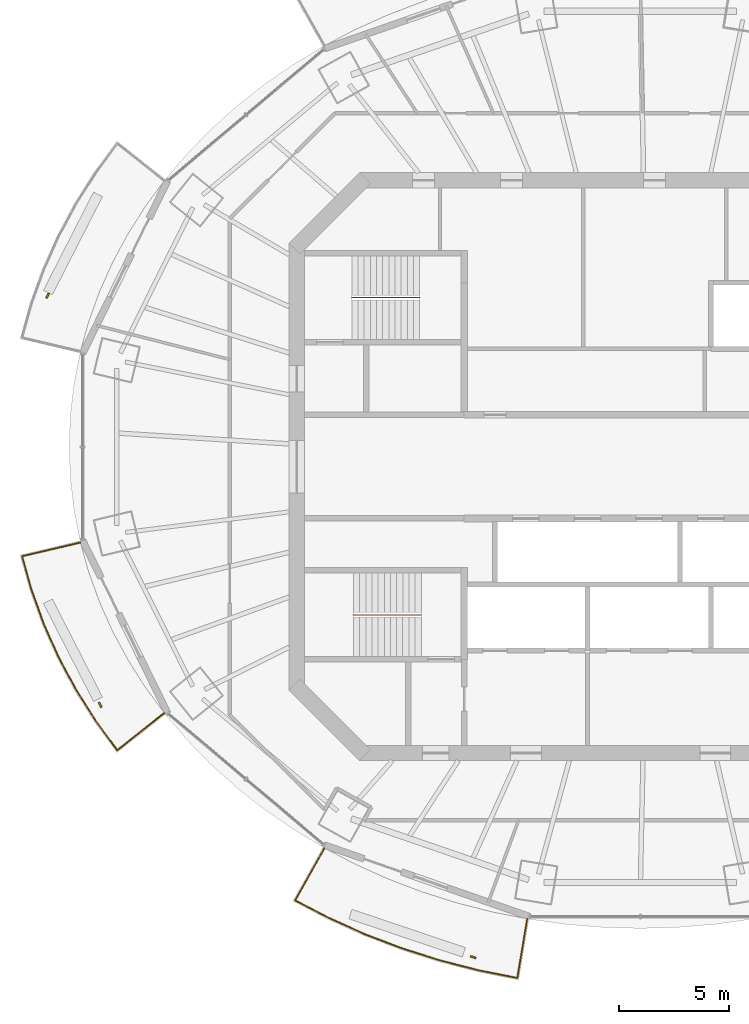
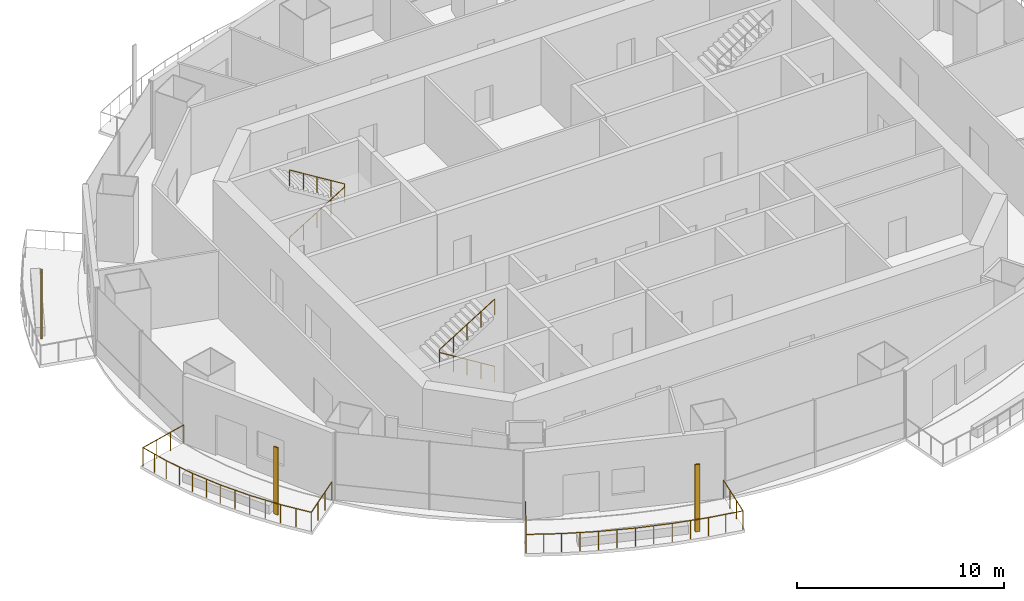
# One storey, part 12 of 16: 4 railings, 3 shading devices.
"""IFC4 building model written with IfcOpenShell, lengths in metres."""

from ifc_helpers import new_model, si_unit, direction, frame, origin, origin_2d, place, context, subcontext, project, spatial, rectangle, circle, extrude, material, material_profile, profile_set, type_object, element, save


model = new_model("IFC4")

# Units and contexts
model_context = context("Model", 3, precision=1e-05, world=origin(), true_north=direction((0.0, 1.0)))
body_context = subcontext(model_context, "Body", "Model", "MODEL_VIEW")
ifc_project = project(units=[si_unit("LENGTHUNIT", "METRE"), si_unit("AREAUNIT", "SQUARE_METRE"), si_unit("VOLUMEUNIT", "CUBIC_METRE"), si_unit("PLANEANGLEUNIT", "RADIAN"), si_unit("MASSUNIT", "GRAM", prefix="KILO")], contexts=[model_context])

# Site, building, storey
site_placement = place(None, origin())
site = spatial("IfcSite", under=ifc_project, at=site_placement, CompositionType="ELEMENT")
building_placement = place(site_placement, origin())
building = spatial("IfcBuilding", under=site, at=building_placement, Name="Marenthal Gate Tower", CompositionType="ELEMENT")
storey_placement = place(building_placement, frame((0.0, 0.0, 375.800048828125)))
storey = spatial("IfcBuildingStorey", under=building, at=storey_placement, Name="L85", CompositionType="ELEMENT", Elevation=375.800048828125)

# Railings
ifc_material_1 = material(Name="Stainless steel", Category="steel")
railing_type_1 = type_object("IfcRailingType", Name="Balcony guard 1100", PredefinedType="GUARDRAIL", material=ifc_material_1)
railing_1_placement = place(storey_placement, frame((-22.019775390625, -11.184814453125, 0.0)))
element("IfcRailing", 1, at=railing_1_placement, inside=storey, type_object=railing_type_1, Name="Balcony guard L85 bay 9", PredefinedType="GUARDRAIL", context=body_context, shape_type="SweptSolid", body=[
    extrude(circle(Radius=0.02392578125, at=origin_2d()), frame((0.0, 0.0, 1.076171875), z_axis=(-0.783848051765, -0.620778220066, -0.014718465822), x_axis=(0.62084547159, -0.783932969332, 0.0)), (0.0, 0.0, 1.0), 2.72021484375),
    extrude(circle(Radius=0.02392578125, at=origin_2d()), frame((-2.13232421875, -1.688720703125, 1.0361328125), z_axis=(-0.592180333089, 0.805805468524, 0.0), x_axis=(-0.805805468524, -0.592180333089, 0.0)), (0.0, 0.0, 1.0), 1.619384765625),
    extrude(circle(Radius=0.02392578125, at=origin_2d()), frame((-3.09130859375, -0.3837890625, 1.0361328125), z_axis=(-0.535564667698, 0.844494219467, 0.0), x_axis=(-0.844494219467, -0.535564667698, 0.0)), (0.0, 0.0, 1.0), 1.68798828125),
    extrude(circle(Radius=0.02392578125, at=origin_2d()), frame((-3.995361328125, 1.041748046875, 1.0361328125), z_axis=(-0.473457232822, 0.880816807679, 0.0), x_axis=(-0.880816807679, -0.473457232822, 0.0)), (0.0, 0.0, 1.0), 1.677001953125),
    extrude(circle(Radius=0.02392578125, at=origin_2d()), frame((-4.789306640625, 2.518798828125, 1.0361328125), z_axis=(-0.407659561492, 0.913133989031, 0.0), x_axis=(-0.913133989031, -0.407659561492, 0.0)), (0.0, 0.0, 1.0), 1.667236328125),
    extrude(circle(Radius=0.02392578125, at=origin_2d()), frame((-5.468994140625, 4.041259765625, 1.0361328125), z_axis=(-0.338563156163, 0.940943669562, 0.0), x_axis=(-0.940943669562, -0.338563156163, 0.0)), (0.0, 0.0, 1.0), 1.6591796875),
    extrude(circle(Radius=0.02392578125, at=origin_2d()), frame((-6.03076171875, 5.6025390625, 1.0361328125), z_axis=(-0.268460599739, 0.963290665577, 0.0), x_axis=(-0.963290665577, -0.268460599739, 0.0)), (0.0, 0.0, 1.0), 1.572265625),
    extrude(circle(Radius=0.02392578125, at=origin_2d()), frame((-6.452880859375, 7.1171875, 1.0361328125), z_axis=(0.973202156383, 0.229479704341, 0.014718291557), x_axis=(-0.229504564257, 0.973307584983, 0.0)), (0.0, 0.0, 1.0), 2.720458984375),
    extrude(circle(Radius=0.02099609375, at=origin_2d()), origin(), (0.0, 0.0, 1.0), 1.052001953125),
    extrude(circle(Radius=0.02099609375, at=origin_2d()), frame((-0.710693359375, -0.56298828125, -0.013427734375)), (0.0, 0.0, 1.0), 1.052001953125),
    extrude(circle(Radius=0.02099609375, at=origin_2d()), frame((-1.421630859375, -1.125732421875, -0.026611328125)), (0.0, 0.0, 1.0), 1.052001953125),
    extrude(circle(Radius=0.02099609375, at=origin_2d()), frame((-2.13232421875, -1.688720703125, -0.0400390625)), (0.0, 0.0, 1.0), 1.052001953125),
    extrude(circle(Radius=0.02099609375, at=origin_2d()), frame((-2.61181640625, -1.0361328125, -0.0400390625)), (0.0, 0.0, 1.0), 1.052001953125),
    extrude(circle(Radius=0.02099609375, at=origin_2d()), frame((-3.09130859375, -0.3837890625, -0.0400390625)), (0.0, 0.0, 1.0), 1.052001953125),
    extrude(circle(Radius=0.02099609375, at=origin_2d()), frame((-3.54345703125, 0.3291015625, -0.0400390625)), (0.0, 0.0, 1.0), 1.052001953125),
    extrude(circle(Radius=0.02099609375, at=origin_2d()), frame((-3.995361328125, 1.041748046875, -0.0400390625)), (0.0, 0.0, 1.0), 1.052001953125),
    extrude(circle(Radius=0.02099609375, at=origin_2d()), frame((-4.392333984375, 1.7802734375, -0.0400390625)), (0.0, 0.0, 1.0), 1.052001953125),
    extrude(circle(Radius=0.02099609375, at=origin_2d()), frame((-4.789306640625, 2.518798828125, -0.0400390625)), (0.0, 0.0, 1.0), 1.052001953125),
    extrude(circle(Radius=0.02099609375, at=origin_2d()), frame((-5.129150390625, 3.280029296875, -0.0400390625)), (0.0, 0.0, 1.0), 1.052001953125),
    extrude(circle(Radius=0.02099609375, at=origin_2d()), frame((-5.468994140625, 4.041259765625, -0.0400390625)), (0.0, 0.0, 1.0), 1.052001953125),
    extrude(circle(Radius=0.02099609375, at=origin_2d()), frame((-5.75, 4.82177734375, -0.0400390625)), (0.0, 0.0, 1.0), 1.052001953125),
    extrude(circle(Radius=0.02099609375, at=origin_2d()), frame((-6.03076171875, 5.6025390625, -0.0400390625)), (0.0, 0.0, 1.0), 1.052001953125),
    extrude(circle(Radius=0.02099609375, at=origin_2d()), frame((-6.24169921875, 6.35986328125, -0.0400390625)), (0.0, 0.0, 1.0), 1.052001953125),
    extrude(circle(Radius=0.02099609375, at=origin_2d()), frame((-6.452880859375, 7.1171875, -0.0400390625)), (0.0, 0.0, 1.0), 1.052001953125),
    extrude(circle(Radius=0.02099609375, at=origin_2d()), frame((-5.5703125, 7.3251953125, -0.026611328125)), (0.0, 0.0, 1.0), 1.052001953125),
    extrude(circle(Radius=0.02099609375, at=origin_2d()), frame((-4.68798828125, 7.533447265625, -0.013427734375)), (0.0, 0.0, 1.0), 1.052001953125),
    extrude(circle(Radius=0.02099609375, at=origin_2d()), frame((-3.805419921875, 7.741455078125, 0.0)), (0.0, 0.0, 1.0), 1.052001953125),
])
railing_2_placement = place(storey_placement, frame((-5.539794921875, -20.53173828125, 0.0)))
element("IfcRailing", 2, at=railing_2_placement, inside=storey, type_object=railing_type_1, Name="Balcony guard L85 bay 11", PredefinedType="GUARDRAIL", context=body_context, shape_type="SweptSolid", body=[
    extrude(circle(Radius=0.02392578125, at=origin_2d()), frame((0.0, 0.0, 1.076171875), z_axis=(-0.165501751995, -0.986099647054, -0.014719244754), x_axis=(0.9862064867, -0.165519683396, 0.0)), (0.0, 0.0, 1.0), 2.72021484375),
    extrude(circle(Radius=0.02392578125, at=origin_2d()), frame((-0.4501953125, -2.682373046875, 1.0361328125), z_axis=(-0.980989908715, 0.194058751412, 0.0), x_axis=(-0.194058751412, -0.980989908715, 0.0)), (0.0, 0.0, 1.0), 1.757568359375),
    extrude(circle(Radius=0.02392578125, at=origin_2d()), frame((-2.17431640625, -2.34130859375, 1.0361328125), z_axis=(-0.968818339515, 0.247772123168, 0.0), x_axis=(-0.247772123168, -0.968818339515, 0.0)), (0.0, 0.0, 1.0), 1.830810546875),
    extrude(circle(Radius=0.02392578125, at=origin_2d()), frame((-3.947998046875, -1.8876953125, 1.0361328125), z_axis=(-0.953191090515, 0.302368558158, 0.0), x_axis=(-0.302368558158, -0.953191090515, 0.0)), (0.0, 0.0, 1.0), 1.822265625),
    extrude(circle(Radius=0.02392578125, at=origin_2d()), frame((-5.68505859375, -1.336669921875, 1.0361328125), z_axis=(-0.934175957833, 0.356812667665, 0.0), x_axis=(-0.356812667665, -0.934175957833, 0.0)), (0.0, 0.0, 1.0), 1.813232421875),
    extrude(circle(Radius=0.02392578125, at=origin_2d()), frame((-7.37890625, -0.689697265625, 1.0361328125), z_axis=(-0.911738959801, 0.410770092851, 0.0), x_axis=(-0.410770092851, -0.911738959801, 0.0)), (0.0, 0.0, 1.0), 1.802734375),
    extrude(circle(Radius=0.02392578125, at=origin_2d()), frame((-9.0224609375, 0.05078125, 1.0361328125), z_axis=(-0.886322623965, 0.463068252257, 0.0), x_axis=(-0.463068252257, -0.886322623965, 0.0)), (0.0, 0.0, 1.0), 1.7109375),
    extrude(circle(Radius=0.02392578125, at=origin_2d()), frame((-10.538818359375, 0.843017578125, 1.0361328125), z_axis=(0.491021790399, 0.871022934714, 0.014718986223), x_axis=(-0.871117302978, 0.491074988624, 0.0)), (0.0, 0.0, 1.0), 2.72021484375),
    extrude(circle(Radius=0.02099609375, at=origin_2d()), origin(), (0.0, 0.0, 1.0), 1.052001953125),
    extrude(circle(Radius=0.02099609375, at=origin_2d()), frame((-0.150146484375, -0.89404296875, -0.013427734375)), (0.0, 0.0, 1.0), 1.052001953125),
    extrude(circle(Radius=0.02099609375, at=origin_2d()), frame((-0.300048828125, -1.788330078125, -0.026611328125)), (0.0, 0.0, 1.0), 1.052001953125),
    extrude(circle(Radius=0.02099609375, at=origin_2d()), frame((-0.4501953125, -2.682373046875, -0.0400390625)), (0.0, 0.0, 1.0), 1.052001953125),
    extrude(circle(Radius=0.02099609375, at=origin_2d()), frame((-1.312255859375, -2.51171875, -0.0400390625)), (0.0, 0.0, 1.0), 1.052001953125),
    extrude(circle(Radius=0.02099609375, at=origin_2d()), frame((-2.17431640625, -2.34130859375, -0.0400390625)), (0.0, 0.0, 1.0), 1.052001953125),
    extrude(circle(Radius=0.02099609375, at=origin_2d()), frame((-3.06103515625, -2.114501953125, -0.0400390625)), (0.0, 0.0, 1.0), 1.052001953125),
    extrude(circle(Radius=0.02099609375, at=origin_2d()), frame((-3.947998046875, -1.8876953125, -0.0400390625)), (0.0, 0.0, 1.0), 1.052001953125),
    extrude(circle(Radius=0.02099609375, at=origin_2d()), frame((-4.81640625, -1.6123046875, -0.0400390625)), (0.0, 0.0, 1.0), 1.052001953125),
    extrude(circle(Radius=0.02099609375, at=origin_2d()), frame((-5.68505859375, -1.336669921875, -0.0400390625)), (0.0, 0.0, 1.0), 1.052001953125),
    extrude(circle(Radius=0.02099609375, at=origin_2d()), frame((-6.531982421875, -1.01318359375, -0.0400390625)), (0.0, 0.0, 1.0), 1.052001953125),
    extrude(circle(Radius=0.02099609375, at=origin_2d()), frame((-7.37890625, -0.689697265625, -0.0400390625)), (0.0, 0.0, 1.0), 1.052001953125),
    extrude(circle(Radius=0.02099609375, at=origin_2d()), frame((-8.20068359375, -0.3193359375, -0.0400390625)), (0.0, 0.0, 1.0), 1.052001953125),
    extrude(circle(Radius=0.02099609375, at=origin_2d()), frame((-9.0224609375, 0.05078125, -0.0400390625)), (0.0, 0.0, 1.0), 1.052001953125),
    extrude(circle(Radius=0.02099609375, at=origin_2d()), frame((-9.78076171875, 0.44677734375, -0.0400390625)), (0.0, 0.0, 1.0), 1.052001953125),
    extrude(circle(Radius=0.02099609375, at=origin_2d()), frame((-10.538818359375, 0.843017578125, -0.0400390625)), (0.0, 0.0, 1.0), 1.052001953125),
    extrude(circle(Radius=0.02099609375, at=origin_2d()), frame((-10.093505859375, 1.6328125, -0.026611328125)), (0.0, 0.0, 1.0), 1.052001953125),
    extrude(circle(Radius=0.02099609375, at=origin_2d()), frame((-9.6484375, 2.422607421875, -0.013427734375)), (0.0, 0.0, 1.0), 1.052001953125),
    extrude(circle(Radius=0.02099609375, at=origin_2d()), frame((-9.203125, 3.21240234375, 0.0)), (0.0, 0.0, 1.0), 1.052001953125),
])
ifc_material_2 = material(Name="Stainless steel", Category="steel")
railing_type_2 = type_object("IfcRailingType", Name="Stair handrail", PredefinedType="HANDRAIL", material=ifc_material_2)
railing_3_placement = place(storey_placement, frame((-13.5, 7.675048828125, 0.1728515625)))
element("IfcRailing", 3, at=railing_3_placement, inside=storey, type_object=railing_type_2, Name="Handrail ST1", PredefinedType="HANDRAIL", context=body_context, shape_type="SweptSolid", body=[
    extrude(circle(Radius=0.0224609375, at=origin_2d()), frame((0.0, 0.0, 0.927490234375), z_axis=(0.850835241893, 0.0, 0.525432575268), x_axis=(0.0, 1.0, 0.0)), (0.0, 0.0, 1.0), 3.6201171875),
    extrude(circle(Radius=0.0224609375, at=origin_2d()), frame((3.080078125, 0.0, 2.82958984375), z_axis=(0.0, 0.0, 1.0), x_axis=(1.0, 0.0, 0.0)), (0.0, 0.0, 1.0), 0.1728515625),
    extrude(circle(Radius=0.0224609375, at=origin_2d()), frame((3.080078125, 0.0, 3.00244140625), z_axis=(-0.850835241893, 0.0, 0.525432575268), x_axis=(0.0, -1.0, 0.0)), (0.0, 0.0, 1.0), 3.6201171875),
    extrude(circle(Radius=0.02001953125, at=origin_2d()), origin(), (0.0, 0.0, 1.0), 0.905029296875),
    extrude(circle(Radius=0.02001953125, at=origin_2d()), frame((0.77001953125, 0.0, 0.4755859375)), (0.0, 0.0, 1.0), 0.905029296875),
    extrude(circle(Radius=0.02001953125, at=origin_2d()), frame((1.5400390625, 0.0, 0.951171875)), (0.0, 0.0, 1.0), 0.905029296875),
    extrude(circle(Radius=0.02001953125, at=origin_2d()), frame((2.31005859375, 0.0, 1.426513671875)), (0.0, 0.0, 1.0), 0.905029296875),
    extrude(circle(Radius=0.02001953125, at=origin_2d()), frame((3.080078125, 0.0, 1.902099609375)), (0.0, 0.0, 1.0), 0.905029296875),
    extrude(circle(Radius=0.02001953125, at=origin_2d()), frame((3.080078125, 0.0, 2.074951171875)), (0.0, 0.0, 1.0), 0.905029296875),
    extrude(circle(Radius=0.02001953125, at=origin_2d()), frame((2.31005859375, 0.0, 2.550537109375)), (0.0, 0.0, 1.0), 0.905029296875),
    extrude(circle(Radius=0.02001953125, at=origin_2d()), frame((1.5400390625, 0.0, 3.02587890625)), (0.0, 0.0, 1.0), 0.905029296875),
    extrude(circle(Radius=0.02001953125, at=origin_2d()), frame((0.77001953125, 0.0, 3.50146484375)), (0.0, 0.0, 1.0), 0.905029296875),
    extrude(circle(Radius=0.02001953125, at=origin_2d()), frame((0.0, 0.0, 3.97705078125)), (0.0, 0.0, 1.0), 0.905029296875),
])
railing_4_placement = place(storey_placement, frame((-10.35009765625, -6.72509765625, 0.1728515625)))
element("IfcRailing", 4, at=railing_4_placement, inside=storey, type_object=railing_type_2, Name="Handrail ST2", PredefinedType="HANDRAIL", context=body_context, shape_type="SweptSolid", body=[
    extrude(circle(Radius=0.0224609375, at=origin_2d()), frame((0.0, 0.0, 0.927490234375), z_axis=(-0.850816621229, 0.0, 0.525462726595), x_axis=(0.0, -1.0, 0.0)), (0.0, 0.0, 1.0), 3.619873046875),
    extrude(circle(Radius=0.0224609375, at=origin_2d()), frame((-3.079833984375, 0.0, 2.82958984375), z_axis=(0.0, 0.0, 1.0), x_axis=(1.0, 0.0, 0.0)), (0.0, 0.0, 1.0), 0.1728515625),
    extrude(circle(Radius=0.0224609375, at=origin_2d()), frame((-3.079833984375, 0.0, 3.00244140625), z_axis=(0.850816621229, 0.0, 0.525462726595), x_axis=(0.0, 1.0, 0.0)), (0.0, 0.0, 1.0), 3.619873046875),
    extrude(circle(Radius=0.02001953125, at=origin_2d()), origin(), (0.0, 0.0, 1.0), 0.905029296875),
    extrude(circle(Radius=0.02001953125, at=origin_2d()), frame((-0.77001953125, 0.0, 0.4755859375)), (0.0, 0.0, 1.0), 0.905029296875),
    extrude(circle(Radius=0.02001953125, at=origin_2d()), frame((-1.5400390625, 0.0, 0.951171875)), (0.0, 0.0, 1.0), 0.905029296875),
    extrude(circle(Radius=0.02001953125, at=origin_2d()), frame((-2.309814453125, 0.0, 1.426513671875)), (0.0, 0.0, 1.0), 0.905029296875),
    extrude(circle(Radius=0.02001953125, at=origin_2d()), frame((-3.079833984375, 0.0, 1.902099609375)), (0.0, 0.0, 1.0), 0.905029296875),
    extrude(circle(Radius=0.02001953125, at=origin_2d()), frame((-3.079833984375, 0.0, 2.074951171875)), (0.0, 0.0, 1.0), 0.905029296875),
    extrude(circle(Radius=0.02001953125, at=origin_2d()), frame((-2.309814453125, 0.0, 2.550537109375)), (0.0, 0.0, 1.0), 0.905029296875),
    extrude(circle(Radius=0.02001953125, at=origin_2d()), frame((-1.5400390625, 0.0, 3.02587890625)), (0.0, 0.0, 1.0), 0.905029296875),
    extrude(circle(Radius=0.02001953125, at=origin_2d()), frame((-0.77001953125, 0.0, 3.50146484375)), (0.0, 0.0, 1.0), 0.905029296875),
    extrude(circle(Radius=0.02001953125, at=origin_2d()), frame((0.0, 0.0, 3.97705078125)), (0.0, 0.0, 1.0), 0.905029296875),
])

# Shading devices
ifc_material_3 = material(Name="Terracotta", Category="masonry")
ifc_material_profile = material_profile(ifc_material_3, rectangle(XDim=0.25, YDim=0.080078125, at=origin_2d()), Name="Terracotta baguette 250x80")
ifc_profile_set = profile_set([ifc_material_profile], Name="Terracotta")
shading_device_type = type_object("IfcShadingDeviceType", Name="Terracotta BAGUETTE SCREEN 250x80", PredefinedType="USERDEFINED", material=ifc_profile_set)
for number, where, z_axis, x_axis, name in (
    (5, (-27.3125, 7.766845703125, -0.0400390625), (0.0, 0.0, 1.0), (-0.44093893362, -0.897537106096, 0.0), "Terracotta BAGUETTE L85 bay 7R"),
    (6, (-24.931396484375, -10.81396484375, -0.0400390625), (0.0, 0.0, 1.0), (0.44093893362, -0.897537106096, 0.0), "Terracotta BAGUETTE L85 bay 9R"),
    (7, (-7.99267578125, -22.2724609375, -0.0400390625), (0.0, 0.0, 1.0), (0.944082187386, -0.329710211338, 0.0), "Terracotta BAGUETTE L85 bay 11R"),
):
    element("IfcShadingDevice", number, at=place(storey_placement, frame(where, z_axis=z_axis, x_axis=x_axis)), inside=storey, type_object=shading_device_type, Name=name, ObjectType="BAGUETTE SCREEN", PredefinedType="USERDEFINED", context=body_context, shape_type="SweptSolid", body=[
        extrude(rectangle(XDim=0.25, YDim=0.080078125, at=origin_2d()), origin(), (0.0, 0.0, 1.0), 3.969970703125),
    ])

save(model, "model.ifc")
